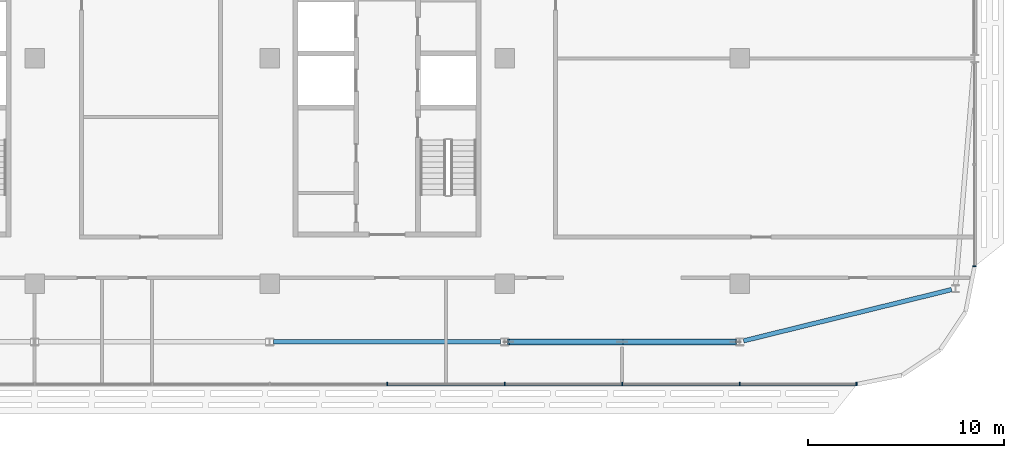
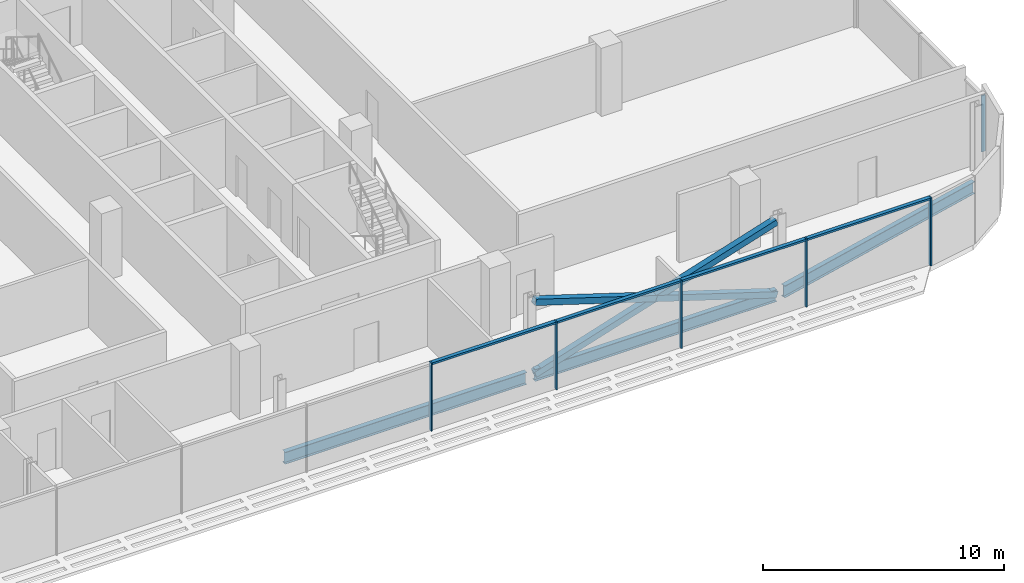
# One storey, part 12 of 32: 13 members, 3 beams, 2 elements without a shape of their own.
"""IFC4 building model written with IfcOpenShell, lengths in metres."""

from ifc_helpers import new_model, si_unit, direction, frame, origin, origin_2d, place, context, subcontext, project, spatial, rectangle, hollow_rectangle, i_section, extrude, material, material_profile, profile_set, type_object, element, aggregate, save


model = new_model("IFC4")

# Units and contexts
model_context = context("Model", 3, precision=1e-05, world=origin(), true_north=direction((0.0, 1.0)))
body_context = subcontext(model_context, "Body", "Model", "MODEL_VIEW")
ifc_project = project(units=[si_unit("LENGTHUNIT", "METRE"), si_unit("AREAUNIT", "SQUARE_METRE"), si_unit("VOLUMEUNIT", "CUBIC_METRE"), si_unit("PLANEANGLEUNIT", "RADIAN"), si_unit("MASSUNIT", "GRAM", prefix="KILO")], contexts=[model_context])

# Site, building, storey
site_placement = place(None, origin())
site = spatial("IfcSite", under=ifc_project, at=site_placement, CompositionType="ELEMENT")
building_placement = place(site_placement, origin())
building = spatial("IfcBuilding", under=site, at=building_placement, Name="Mahtab Terrace Research Tower", CompositionType="ELEMENT")
storey_placement = place(building_placement, frame((0.0, 0.0, 232.39990234375)))
storey = spatial("IfcBuildingStorey", under=building, at=storey_placement, Name="L56", CompositionType="ELEMENT", Elevation=232.39990234375)

# Members
ifc_material_1 = material(Name="Steel ASTM A500 Gr C", Category="steel")
ifc_material_profile_1 = material_profile(ifc_material_1, hollow_rectangle(XDim=0.3046875, YDim=0.3046875, WallThickness=0.015869140625, at=origin_2d()), Name="HSS12X12X5/8")
ifc_profile_set_1 = profile_set([ifc_material_profile_1], Name="Steel ASTM A500 Gr C")
member_type_1 = type_object("IfcMemberType", Name="HSS 12x12x5/8 brace XB121258", PredefinedType="BRACE", material=ifc_profile_set_1)
member_1_placement = place(storey_placement, frame((30.199462890625, -14.472900390625, -0.580322265625), z_axis=(0.953338568311, 0.0, 0.301903252998), x_axis=(0.0, 1.0, 0.0)))
element("IfcMember", 1, at=member_1_placement, inside=storey, type_object=member_type_1, Name="Exoskeleton brace L56 18 a", PredefinedType="BRACE", context=body_context, shape_type="SweptSolid", body=[
    extrude(hollow_rectangle(XDim=0.3046875, YDim=0.3046875, WallThickness=0.015869140625, at=origin_2d()), origin(), (0.0, 0.0, 1.0), 12.1689453125),
])
for number, where, z_axis, x_axis, name in (
    (2, (41.800537109375, -14.472900390625, -0.580322265625), (-0.953338568311, 0.0, 0.301903252998), (0.0, -1.0, 0.0), "Exoskeleton brace L56 18 b1"),
    (3, (36.0, -14.472900390625, 1.256591796875), (-0.953338568311, 0.0, 0.301903252998), (0.0, -1.0, 0.0), "Exoskeleton brace L56 18 b2"),
):
    element("IfcMember", number, at=place(storey_placement, frame(where, z_axis=z_axis, x_axis=x_axis)), inside=storey, type_object=member_type_1, Name=name, PredefinedType="BRACE", context=body_context, shape_type="SweptSolid", body=[
        extrude(hollow_rectangle(XDim=0.3046875, YDim=0.3046875, WallThickness=0.015869140625, at=origin_2d()), origin(), (0.0, 0.0, 1.0), 6.08447265625),
    ])

# Curtain wall, members
ifc_material_2 = material(Name="Office ribbon curtain wall")
curtain_wall_type = type_object("IfcCurtainWallType", Name="Office ribbon curtain wall", PredefinedType="NOTDEFINED", material=ifc_material_2)
curtain_wall_1_placement = place(storey_placement, origin())
curtain_wall_1 = element("IfcCurtainWall", 4, at=curtain_wall_1_placement, inside=storey, type_object=curtain_wall_type, Name="EN.L56.13.16", PredefinedType="NOTDEFINED")
ifc_material_3 = material(Name="Natural anodised aluminium", Category="aluminium")
ifc_material_profile_2 = material_profile(ifc_material_3, rectangle(XDim=0.179931640625, YDim=0.06005859375, at=origin_2d()), Name="MULLION 60x180")
ifc_profile_set_2 = profile_set([ifc_material_profile_2], Name="Natural anodised aluminium")
member_type_2 = type_object("IfcMemberType", Name="Office ribbon curtain wall mullion", PredefinedType="MULLION", material=ifc_profile_set_2)
member_2_placement = place(storey_placement, frame((24.0, -16.638916015625, 0.0), z_axis=(0.0, 0.0, 1.0), x_axis=(0.0, 1.0, 0.0)))
member_2 = element("IfcMember", 5, at=member_2_placement, type_object=member_type_2, Name="CWO-7 mullion 11", PredefinedType="MULLION", context=body_context, shape_type="SweptSolid", body=[
    extrude(rectangle(XDim=0.179931640625, YDim=0.06005859375, at=origin_2d()), origin(), (0.0, 0.0, 1.0), 3.460205078125),
])
member_3_placement = place(storey_placement, frame((30.0, -16.638916015625, 0.0), z_axis=(0.0, 0.0, 1.0), x_axis=(0.0, 1.0, 0.0)))
member_3 = element("IfcMember", 6, at=member_3_placement, type_object=member_type_2, Name="CWO-7 mullion 12", PredefinedType="MULLION", context=body_context, shape_type="SweptSolid", body=[
    extrude(rectangle(XDim=0.179931640625, YDim=0.06005859375, at=origin_2d()), origin(), (0.0, 0.0, 1.0), 3.460205078125),
])
member_4_placement = place(storey_placement, frame((36.0, -16.638916015625, 0.0), z_axis=(0.0, 0.0, 1.0), x_axis=(0.0, 1.0, 0.0)))
member_4 = element("IfcMember", 7, at=member_4_placement, type_object=member_type_2, Name="CWO-7 mullion 13", PredefinedType="MULLION", context=body_context, shape_type="SweptSolid", body=[
    extrude(rectangle(XDim=0.179931640625, YDim=0.06005859375, at=origin_2d()), origin(), (0.0, 0.0, 1.0), 3.460205078125),
])
member_5_placement = place(storey_placement, frame((42.0, -16.638916015625, 0.0), z_axis=(0.0, 0.0, 1.0), x_axis=(0.0, 1.0, 0.0)))
member_5 = element("IfcMember", 8, at=member_5_placement, type_object=member_type_2, Name="CWO-7 mullion 14", PredefinedType="MULLION", context=body_context, shape_type="SweptSolid", body=[
    extrude(rectangle(XDim=0.179931640625, YDim=0.06005859375, at=origin_2d()), origin(), (0.0, 0.0, 1.0), 3.460205078125),
])
member_6_placement = place(storey_placement, frame((47.969970703125, -16.638916015625, 0.0), z_axis=(0.0, 0.0, 1.0), x_axis=(0.0, 1.0, 0.0)))
member_6 = element("IfcMember", 9, at=member_6_placement, type_object=member_type_2, Name="CWO-7 mullion 15", PredefinedType="MULLION", context=body_context, shape_type="SweptSolid", body=[
    extrude(rectangle(XDim=0.179931640625, YDim=0.06005859375, at=origin_2d()), origin(), (0.0, 0.0, 1.0), 3.460205078125),
])

# Curtain wall, member
curtain_wall_2_placement = place(storey_placement, origin())
curtain_wall_2 = element("IfcCurtainWall", 10, at=curtain_wall_2_placement, inside=storey, type_object=curtain_wall_type, Name="EN.L56.18.21", PredefinedType="NOTDEFINED")
member_7_placement = place(storey_placement, frame((54.0, -10.60888671875, 0.0), z_axis=(0.0, 0.0, 1.0), x_axis=(-1.0, 0.0, 0.0)))
member_7 = element("IfcMember", 11, at=member_7_placement, type_object=member_type_2, Name="CWO-7 mullion 1", PredefinedType="MULLION", context=body_context, shape_type="SweptSolid", body=[
    extrude(rectangle(XDim=0.179931640625, YDim=0.06005859375, at=origin_2d()), origin(), (0.0, 0.0, 1.0), 2.85302734375),
])
aggregate(curtain_wall_2, [member_7])

# Member
ifc_material_profile_3 = material_profile(ifc_material_3, rectangle(XDim=0.179931640625, YDim=0.10009765625, at=origin_2d()), Name="TRANSOM 100x180")
ifc_profile_set_3 = profile_set([ifc_material_profile_3], Name="Natural anodised aluminium")
member_type_3 = type_object("IfcMemberType", Name="Office ribbon curtain wall transom", PredefinedType="USERDEFINED", material=ifc_profile_set_3)
member_8_placement = place(storey_placement, frame((24.030029296875, -16.638916015625, 3.41015625), z_axis=(1.0, 0.0, 0.0), x_axis=(0.0, 1.0, 0.0)))
member_8 = element("IfcMember", 12, at=member_8_placement, type_object=member_type_3, Name="CWO-7 transom 11", ObjectType="TRANSOM", PredefinedType="USERDEFINED", context=body_context, shape_type="SweptSolid", body=[
    extrude(rectangle(XDim=0.179931640625, YDim=0.10009765625, at=origin_2d()), origin(), (0.0, 0.0, 1.0), 5.93994140625),
])

member_9_placement = place(storey_placement, frame((30.030029296875, -16.638916015625, 3.41015625), z_axis=(1.0, 0.0, 0.0), x_axis=(0.0, 1.0, 0.0)))
member_9 = element("IfcMember", 13, at=member_9_placement, type_object=member_type_3, Name="CWO-7 transom 12", ObjectType="TRANSOM", PredefinedType="USERDEFINED", context=body_context, shape_type="SweptSolid", body=[
    extrude(rectangle(XDim=0.179931640625, YDim=0.10009765625, at=origin_2d()), origin(), (0.0, 0.0, 1.0), 5.93994140625),
])

member_10_placement = place(storey_placement, frame((36.030029296875, -16.638916015625, 3.41015625), z_axis=(1.0, 0.0, 0.0), x_axis=(0.0, 1.0, 0.0)))
member_10 = element("IfcMember", 14, at=member_10_placement, type_object=member_type_3, Name="CWO-7 transom 13", ObjectType="TRANSOM", PredefinedType="USERDEFINED", context=body_context, shape_type="SweptSolid", body=[
    extrude(rectangle(XDim=0.179931640625, YDim=0.10009765625, at=origin_2d()), origin(), (0.0, 0.0, 1.0), 5.93994140625),
])

member_11_placement = place(storey_placement, frame((42.030029296875, -16.638916015625, 3.41015625), z_axis=(1.0, 0.0, 0.0), x_axis=(0.0, 1.0, 0.0)))
member_11 = element("IfcMember", 15, at=member_11_placement, type_object=member_type_3, Name="CWO-7 transom 14", ObjectType="TRANSOM", PredefinedType="USERDEFINED", context=body_context, shape_type="SweptSolid", body=[
    extrude(rectangle(XDim=0.179931640625, YDim=0.10009765625, at=origin_2d()), origin(), (0.0, 0.0, 1.0), 5.909912109375),
])

aggregate(curtain_wall_1, [member_2, member_3, member_4, member_5, member_6, member_8, member_9, member_10, member_11])

# Beams
ifc_material_4 = material(Name="Steel ASTM A992 Gr 50", Category="steel")
ifc_material_profile_4 = material_profile(ifc_material_4, i_section(OverallWidth=0.228271484375, OverallDepth=0.607177734375, WebThickness=0.01123046875, FlangeThickness=0.017333984375, at=origin_2d()), Name="W24X76")
ifc_profile_set_4 = profile_set([ifc_material_profile_4], Name="Steel ASTM A992 Gr 50")
beam_type = type_object("IfcBeamType", Name="W24x76 beam BS2476", PredefinedType="BEAM", material=ifc_profile_set_4)
for number, where, z_axis, x_axis, name in (
    (16, (18.199462890625, -14.472900390625, -0.6435546875), (1.0, 0.0, 0.0), (0.0, 1.0, 0.0), "Spandrel beam L56 17"),
    (17, (30.199462890625, -14.472900390625, -0.6435546875), (1.0, 0.0, 0.0), (0.0, 1.0, 0.0), "Spandrel beam L56 18"),
):
    element("IfcBeam", number, at=place(storey_placement, frame(where, z_axis=z_axis, x_axis=x_axis)), inside=storey, type_object=beam_type, Name=name, PredefinedType="BEAM", context=body_context, shape_type="SweptSolid", body=[
        extrude(i_section(OverallWidth=0.228271484375, OverallDepth=0.607177734375, WebThickness=0.01123046875, FlangeThickness=0.017333984375, at=origin_2d()), origin(), (0.0, 0.0, 1.0), 11.60107421875),
    ])
beam_placement = place(storey_placement, frame((42.199462890625, -14.423828125, -0.6435546875), z_axis=(0.970971673225, 0.239194502014, 0.0), x_axis=(-0.239194502014, 0.970971673225, 0.0)))
element("IfcBeam", 18, at=beam_placement, inside=storey, type_object=beam_type, Name="Spandrel beam L56 19", PredefinedType="BEAM", context=body_context, shape_type="SweptSolid", body=[
    extrude(i_section(OverallWidth=0.228271484375, OverallDepth=0.607177734375, WebThickness=0.01123046875, FlangeThickness=0.017333984375, at=origin_2d()), origin(), (0.0, 0.0, 1.0), 10.939697265625),
])

save(model, "model.ifc")
